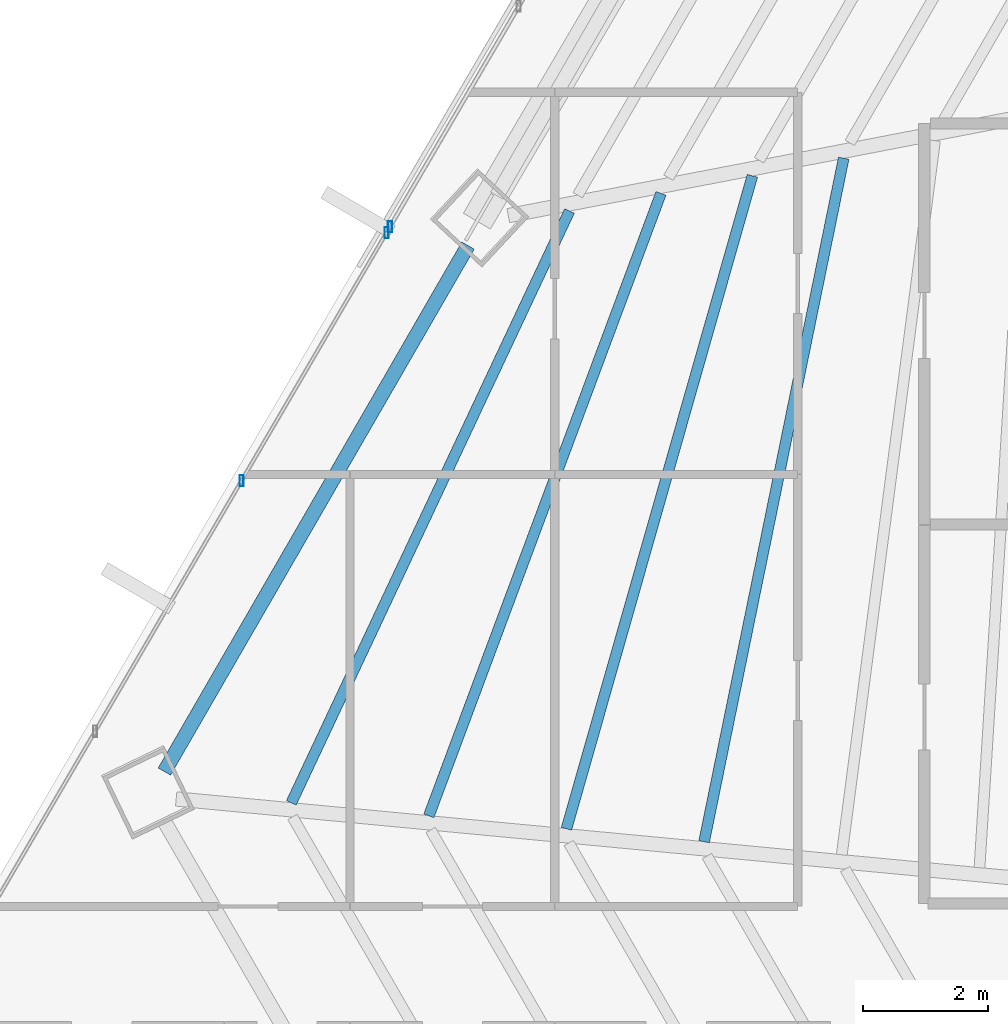
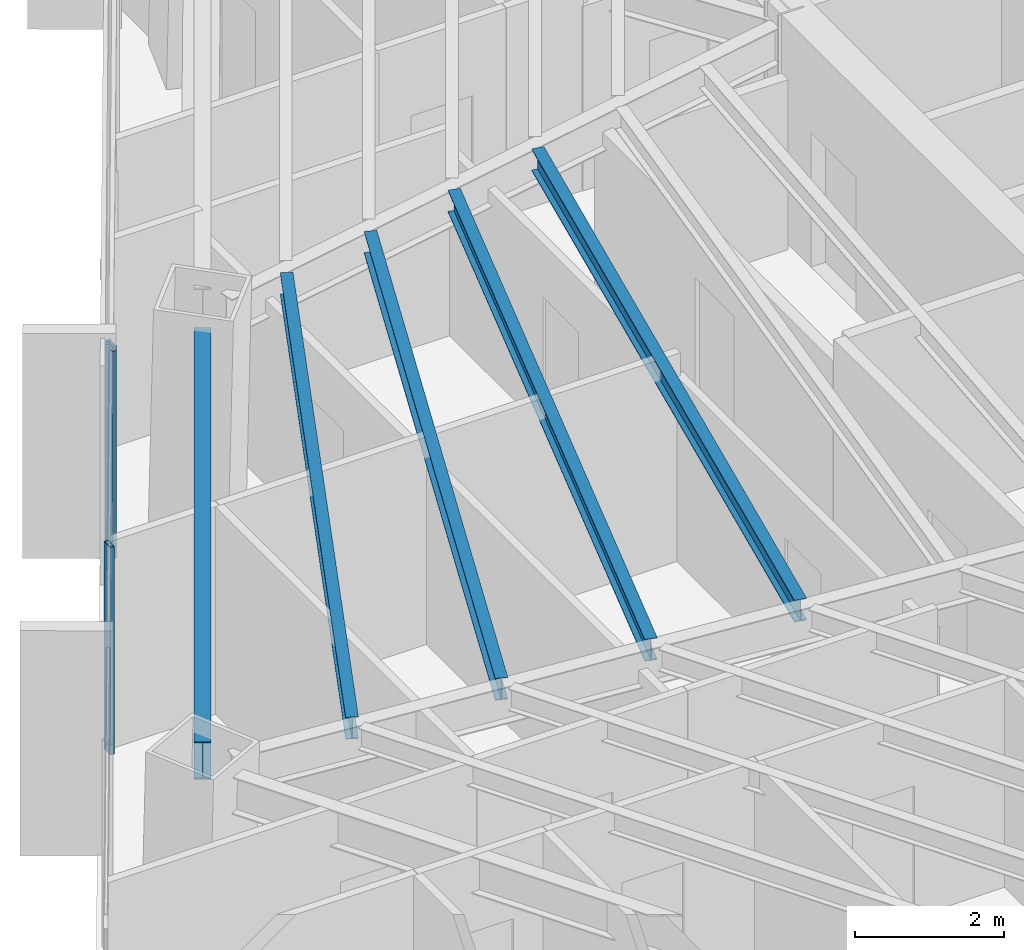
# One storey, part 12 of 37: 5 beams, 3 members, 2 elements without a shape of their own.
"""IFC4 building model written with IfcOpenShell, lengths in metres."""

from ifc_helpers import new_model, si_unit, direction, frame, origin, origin_2d, place, context, subcontext, project, spatial, hollow_rectangle, i_section, extrude, source, transform, mapped, material, material_profile, profile_set, type_object, type_shapes, element, aggregate, save


model = new_model("IFC4")

# Units and contexts
model_context = context("Model", 3, precision=1e-05, world=origin(), true_north=direction((0.0, 1.0)))
body_context = subcontext(model_context, "Body", "Model", "MODEL_VIEW")
ifc_project = project(units=[si_unit("LENGTHUNIT", "METRE"), si_unit("AREAUNIT", "SQUARE_METRE"), si_unit("VOLUMEUNIT", "CUBIC_METRE"), si_unit("PLANEANGLEUNIT", "RADIAN"), si_unit("MASSUNIT", "GRAM", prefix="KILO")], contexts=[model_context])

# Site, building, storey
site_placement = place(None, origin())
site = spatial("IfcSite", under=ifc_project, at=site_placement, CompositionType="ELEMENT")
building_placement = place(site_placement, origin())
building = spatial("IfcBuilding", under=site, at=building_placement, Name="Caelisora Broadcast Tower", CompositionType="ELEMENT")
storey_placement = place(building_placement, frame((0.0, 0.0, 120.0)))
storey = spatial("IfcBuildingStorey", under=building, at=storey_placement, Name="L31", CompositionType="ELEMENT", Elevation=120.0)

# Beams
ifc_material_1 = material(Name="Steel Grade 350 (AS/NZS 3679.1)", Category="steel")
ifc_material_profile_1 = material_profile(ifc_material_1, i_section(OverallWidth=0.22900390625, OverallDepth=0.611572265625, WebThickness=0.011962890625, FlangeThickness=0.01953125, at=origin_2d()), Name="Steel Grade 350 (AS/NZS 3679.1)")
ifc_profile_set_1 = profile_set([ifc_material_profile_1], Name="Steel Grade 350 (AS/NZS 3679.1)")
beam_type_1 = type_object("IfcBeamType", Name="PG03", PredefinedType="BEAM", material=ifc_profile_set_1)
shared_shape_1 = source(origin(), body_context, "Body", "SweptSolid", [
    extrude(i_section(OverallWidth=0.22900390625, OverallDepth=0.611572265625, WebThickness=0.011962890625, FlangeThickness=0.01953125, at=origin_2d()), origin(), (0.0, 0.0, 1.0), 9.697265625),
])
type_shapes(beam_type_1, [shared_shape_1])
beam_1_placement = place(storey_placement, frame((20.135498046875, 27.65283203125, 3.09423828125), z_axis=(-0.500005767435, -0.866022073929, 0.0), x_axis=(0.866022073929, -0.500005767435, 0.0)))
element("IfcBeam", 1, at=beam_1_placement, inside=storey, type_object=beam_type_1, Name="L31 beam PG03", PredefinedType="BEAM", context=body_context, shape_type="MappedRepresentation", body=[
    mapped(shared_shape_1, transform((0.0, 0.0, 0.0), scale=1.0)),
])
ifc_material_profile_2 = material_profile(ifc_material_1, i_section(OverallWidth=0.172119140625, OverallDepth=0.358642578125, WebThickness=0.008056640625, FlangeThickness=0.012939453125, at=origin_2d()), Name="Steel Grade 350 (AS/NZS 3679.1)")
ifc_profile_set_2 = profile_set([ifc_material_profile_2], Name="Steel Grade 350 (AS/NZS 3679.1)")
beam_type_2 = type_object("IfcBeamType", Name="SB02", PredefinedType="JOIST", material=ifc_profile_set_2)
shared_shape_2 = source(origin(), body_context, "Body", "SweptSolid", [
    extrude(i_section(OverallWidth=0.172119140625, OverallDepth=0.358642578125, WebThickness=0.008056640625, FlangeThickness=0.012939453125, at=origin_2d()), origin(), (0.0, 0.0, 1.0), 11.138671875),
])
beam_2_placement = place(storey_placement, frame((26.132568359375, 29.047119140625, 3.220703125), z_axis=(-0.200093562843, -0.979776794024, 0.0), x_axis=(0.979776794024, -0.200093562843, 0.0)))
element("IfcBeam", 2, at=beam_2_placement, inside=storey, type_object=beam_type_2, Name="L31 beam SB02", PredefinedType="JOIST", context=body_context, shape_type="MappedRepresentation", body=[
    mapped(shared_shape_2, transform((0.0, 0.0, 0.0), scale=1.0)),
])
shared_shape_3 = source(origin(), body_context, "Body", "SweptSolid", [
    extrude(i_section(OverallWidth=0.172119140625, OverallDepth=0.358642578125, WebThickness=0.008056640625, FlangeThickness=0.012939453125, at=origin_2d()), origin(), (0.0, 0.0, 1.0), 10.840087890625),
])
beam_3_placement = place(storey_placement, frame((24.6748046875, 28.7666015625, 3.220703125), z_axis=(-0.273843510148, -0.96177426247, 0.0), x_axis=(0.96177426247, -0.273843510148, 0.0)))
element("IfcBeam", 3, at=beam_3_placement, inside=storey, type_object=beam_type_2, Name="L31 beam SB02", PredefinedType="JOIST", context=body_context, shape_type="MappedRepresentation", body=[
    mapped(shared_shape_3, transform((0.0, 0.0, 0.0), scale=1.0)),
])
shared_shape_4 = source(origin(), body_context, "Body", "SweptSolid", [
    extrude(i_section(OverallWidth=0.172119140625, OverallDepth=0.358642578125, WebThickness=0.008056640625, FlangeThickness=0.012939453125, at=origin_2d()), origin(), (0.0, 0.0, 1.0), 10.606201171875),
])
beam_4_placement = place(storey_placement, frame((23.215576171875, 28.48583984375, 3.220703125), z_axis=(-0.349420126076, -0.936966154935, 0.0), x_axis=(0.936966154935, -0.349420126076, 0.0)))
element("IfcBeam", 4, at=beam_4_placement, inside=storey, type_object=beam_type_2, Name="L31 beam SB02", PredefinedType="JOIST", context=body_context, shape_type="MappedRepresentation", body=[
    mapped(shared_shape_4, transform((0.0, 0.0, 0.0), scale=1.0)),
])
shared_shape_5 = source(origin(), body_context, "Body", "SweptSolid", [
    extrude(i_section(OverallWidth=0.172119140625, OverallDepth=0.358642578125, WebThickness=0.008056640625, FlangeThickness=0.012939453125, at=origin_2d()), origin(), (0.0, 0.0, 1.0), 10.441162109375),
])
type_shapes(beam_type_2, [shared_shape_2, shared_shape_3, shared_shape_4, shared_shape_5])
beam_5_placement = place(storey_placement, frame((21.754638671875, 28.204833984375, 3.220703125), z_axis=(-0.425373588463, -0.905017850784, 0.0), x_axis=(0.905017850784, -0.425373588463, 0.0)))
element("IfcBeam", 5, at=beam_5_placement, inside=storey, type_object=beam_type_2, Name="L31 beam SB02", PredefinedType="JOIST", context=body_context, shape_type="MappedRepresentation", body=[
    mapped(shared_shape_5, transform((0.0, 0.0, 0.0), scale=1.0)),
])

# Curtain wall, members
ifc_material_2 = material(Name="Unitised Aluminium and Low-E Glass Curtain Wall", Category="glass")
curtain_wall_type_1 = type_object("IfcCurtainWallType", Name="CW-Z2", PredefinedType="NOTDEFINED", material=ifc_material_2)
curtain_wall_1_placement = place(storey_placement, origin())
curtain_wall_1 = element("IfcCurtainWall", 6, at=curtain_wall_1_placement, inside=storey, type_object=curtain_wall_type_1, Name="L31 curtain wall CW-Z2", PredefinedType="NOTDEFINED")
ifc_material_3 = material(Name="Aluminium 6063-T6 Anodised Terracotta Bronze", Category="aluminium")
ifc_material_profile_3 = material_profile(ifc_material_3, hollow_rectangle(XDim=0.06494140625, YDim=0.179931640625, WallThickness=0.00341796875, at=origin_2d()), Name="Aluminium 6063-T6 Anodised Terracotta Bronze")
ifc_profile_set_3 = profile_set([ifc_material_profile_3], Name="Aluminium 6063-T6 Anodised Terracotta Bronze")
member_type = type_object("IfcMemberType", Name="CWM-02", PredefinedType="MULLION", material=ifc_profile_set_3)
shared_shape_6 = source(origin(), body_context, "Body", "SweptSolid", [
    extrude(hollow_rectangle(XDim=0.06494140625, YDim=0.179931640625, WallThickness=0.00341796875, at=origin_2d()), origin(), (0.0, 0.0, 1.0), 3.39990234375),
])
type_shapes(member_type, [shared_shape_6])
member_1_placement = place(storey_placement, frame((16.52001953125, 23.899169921875, 0.0), z_axis=(0.0, 0.0, 1.0), x_axis=(1.0, 0.0, 0.0)))
member_1 = element("IfcMember", 7, at=member_1_placement, type_object=member_type, Name="L31-CW-B09 mullion #2", PredefinedType="MULLION", context=body_context, shape_type="MappedRepresentation", body=[
    mapped(shared_shape_6, transform((0.0, 0.0, 0.0), scale=1.0)),
])
member_2_placement = place(storey_placement, frame((18.833740234375, 27.85888671875, 0.0), z_axis=(0.0, 0.0, 1.0), x_axis=(1.0, 0.0, 0.0)))
member_2 = element("IfcMember", 8, at=member_2_placement, type_object=member_type, Name="L31-CW-B09 mullion #3", PredefinedType="MULLION", context=body_context, shape_type="MappedRepresentation", body=[
    mapped(shared_shape_6, transform((0.0, 0.0, 0.0), scale=1.0)),
])
aggregate(curtain_wall_1, [member_1, member_2])

# Curtain wall, member
ifc_material_4 = material(Name="Unitised Aluminium Insulated Shadow-Box Spandrel Curtain Wall", Category="aluminium")
curtain_wall_type_2 = type_object("IfcCurtainWallType", Name="CW-SP1", PredefinedType="NOTDEFINED", material=ifc_material_4)
curtain_wall_2_placement = place(storey_placement, origin())
curtain_wall_2 = element("IfcCurtainWall", 9, at=curtain_wall_2_placement, inside=storey, type_object=curtain_wall_type_2, Name="L31 curtain wall CW-SP1", PredefinedType="NOTDEFINED")
member_3_placement = place(storey_placement, frame((18.88916015625, 27.953857421875, 0.0), z_axis=(0.0, 0.0, 1.0), x_axis=(1.0, 0.0, 0.0)))
member_3 = element("IfcMember", 10, at=member_3_placement, type_object=member_type, Name="L31-CW-B10 mullion #0", PredefinedType="MULLION", context=body_context, shape_type="MappedRepresentation", body=[
    mapped(shared_shape_6, transform((0.0, 0.0, 0.0), scale=1.0)),
])
aggregate(curtain_wall_2, [member_3])

save(model, "model.ifc")
